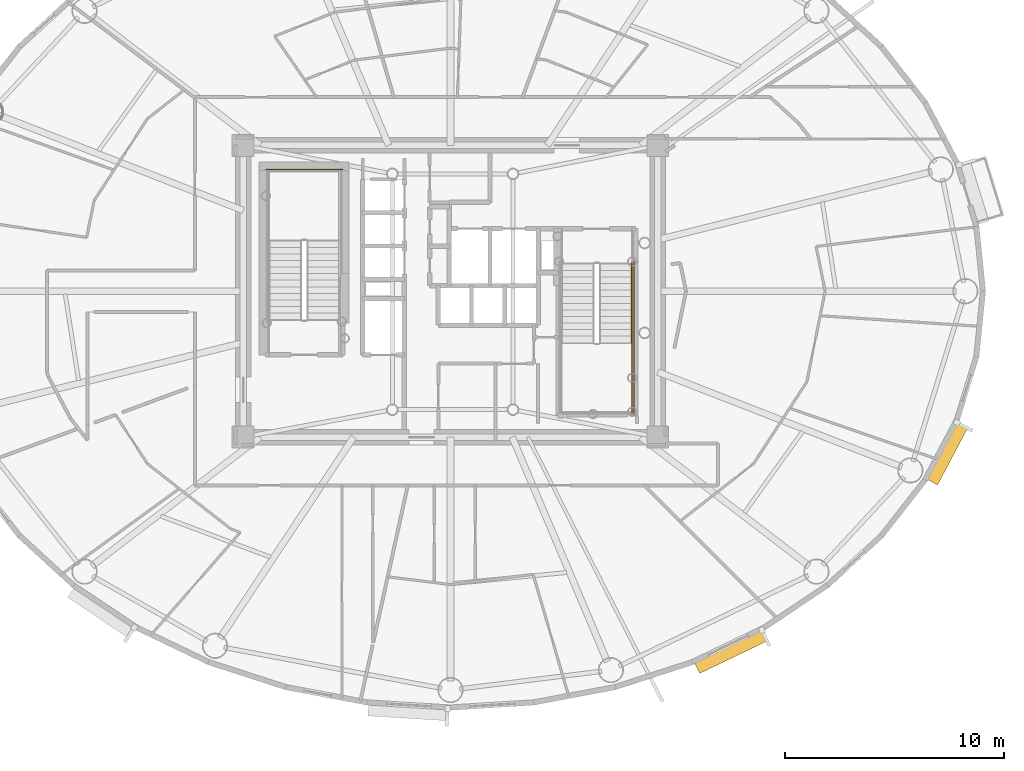
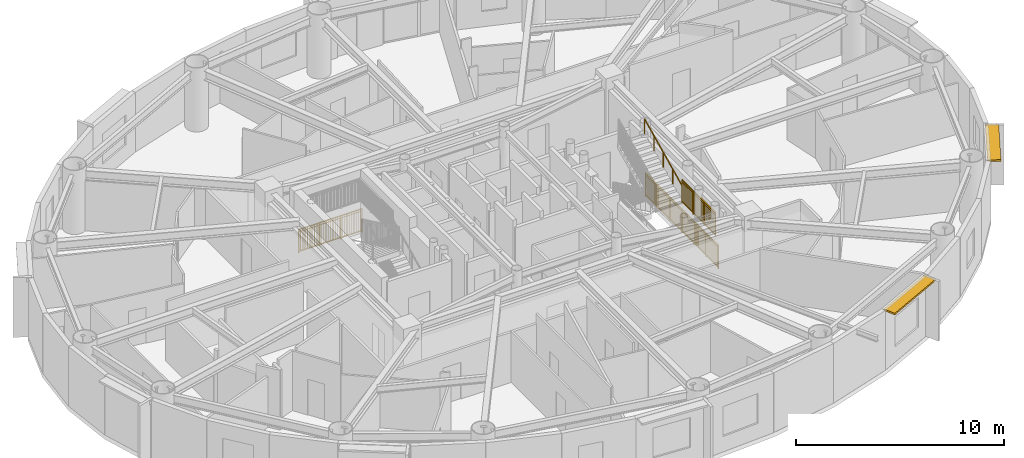
# One storey, part 18 of 20: 4 railings, 2 shading devices.
"""IFC4 building model written with IfcOpenShell, lengths in metres."""

from ifc_helpers import new_model, si_unit, direction, frame, origin, origin_2d, place, context, subcontext, project, spatial, rectangle, extrude, source, transform, mapped, material, layer, layer_set, type_object, element, save


model = new_model("IFC4")

# Units and contexts
model_context = context("Model", 3, precision=1e-05, world=origin(), true_north=direction((0.0, 1.0)))
body_context = subcontext(model_context, "Body", "Model", "MODEL_VIEW")
ifc_project = project(units=[si_unit("LENGTHUNIT", "METRE"), si_unit("AREAUNIT", "SQUARE_METRE"), si_unit("VOLUMEUNIT", "CUBIC_METRE"), si_unit("PLANEANGLEUNIT", "RADIAN"), si_unit("MASSUNIT", "GRAM", prefix="KILO")], contexts=[model_context])

# Site, building, storey
site_placement = place(None, origin())
site = spatial("IfcSite", under=ifc_project, at=site_placement, CompositionType="ELEMENT")
building_placement = place(site_placement, origin())
building = spatial("IfcBuilding", under=site, at=building_placement, Name="Linh Dai School and Residence Tower", CompositionType="ELEMENT")
storey_placement = place(building_placement, frame((0.0, 0.0, 221.550048828125)))
storey = spatial("IfcBuildingStorey", under=building, at=storey_placement, Name="L54", CompositionType="ELEMENT", Elevation=221.550048828125)

# Shading devices
ifc_material_1 = material(Name="Terracotta Ceramic Sunshade", Category="masonry")
ifc_layer = layer(ifc_material_1, 0.10009765625)
ifc_layer_set = layer_set([ifc_layer], Name="Terracotta Ceramic Sunshade")
shading_device_type = type_object("IfcShadingDeviceType", Name="SHD-TC-650", PredefinedType="USERDEFINED", material=ifc_layer_set)
shared_shape_1 = source(origin(), body_context, "Body", "SweptSolid", [
    extrude(rectangle(XDim=3.459716796875, YDim=0.64990234375, at=origin_2d()), origin(), (0.0, 0.0, 1.0), 0.10009765625),
])
shading_device_1_placement = place(storey_placement, frame((48.77880859375, 10.615966796875, 3.3798828125), z_axis=(0.0, 0.0, 1.0), x_axis=(-0.901588864931, -0.432593941973, 0.0)))
element("IfcShadingDevice", 1, at=shading_device_1_placement, inside=storey, type_object=shading_device_type, Name="L54 Terracotta Horizontal Sunshade Band 34", ObjectType="SUNSHADE", PredefinedType="USERDEFINED", context=body_context, shape_type="MappedRepresentation", body=[
    mapped(shared_shape_1, transform((0.0, 0.0, 0.0), x_axis=(1.0, 0.0, 0.0), y_axis=(0.0, 1.0, 0.0), z_axis=(0.0, 0.0, 1.0), scale=1.0)),
])
shared_shape_2 = source(origin(), body_context, "Body", "SweptSolid", [
    extrude(rectangle(XDim=2.986083984375, YDim=0.64990234375, at=origin_2d()), origin(), (0.0, 0.0, 1.0), 0.10009765625),
])
shading_device_2_placement = place(storey_placement, frame((58.614990234375, 19.63623046875, 3.3798828125), z_axis=(0.0, 0.0, 1.0), x_axis=(-0.467621224891, -0.883928950783, 0.0)))
element("IfcShadingDevice", 2, at=shading_device_2_placement, inside=storey, type_object=shading_device_type, Name="L54 Terracotta Horizontal Sunshade Band 38", ObjectType="SUNSHADE", PredefinedType="USERDEFINED", context=body_context, shape_type="MappedRepresentation", body=[
    mapped(shared_shape_2, transform((0.0, 0.0, 0.0), x_axis=(1.0, 0.0, 0.0), y_axis=(0.0, 1.0, 0.0), z_axis=(0.0, 0.0, 1.0), scale=1.0)),
])

# Railings
ifc_material_2 = material(Name="Structural Steel S355JR", Category="steel")
railing_type_1 = type_object("IfcRailingType", Name="RL-ST-GUARD-1400", PredefinedType="GUARDRAIL", material=ifc_material_2)
shared_shape_3 = source(origin(), body_context, "Body", "SweptSolid", [
    extrude(rectangle(XDim=0.048095703125, YDim=0.048095703125, at=origin_2d()), frame((0.0, 0.0, 1.3759765625), z_axis=(-1.0, 0.0, 0.0), x_axis=(0.0, -1.0, 0.0)), (0.0, 0.0, 1.0), 3.5),
    extrude(rectangle(XDim=0.048095703125, YDim=0.048095703125, at=origin_2d()), frame((0.0, 0.0, 0.10009765625), z_axis=(-1.0, 0.0, 0.0), x_axis=(0.0, -1.0, 0.0)), (0.0, 0.0, 1.0), 3.5),
    extrude(rectangle(XDim=0.030029296875, YDim=0.030029296875, at=origin_2d()), frame((0.0, 0.0, 1.239990234375), z_axis=(-1.0, 0.0, 0.0), x_axis=(0.0, -1.0, 0.0)), (0.0, 0.0, 1.0), 3.5),
    extrude(rectangle(XDim=0.02001953125, YDim=0.02001953125, at=origin_2d()), frame((-0.09716796875, 0.0, 0.10009765625)), (0.0, 0.0, 1.0), 1.251708984375),
    extrude(rectangle(XDim=0.02001953125, YDim=0.02001953125, at=origin_2d()), frame((-0.1943359375, 0.0, 0.10009765625)), (0.0, 0.0, 1.0), 1.251708984375),
    extrude(rectangle(XDim=0.02001953125, YDim=0.02001953125, at=origin_2d()), frame((-0.291748046875, 0.0, 0.10009765625)), (0.0, 0.0, 1.0), 1.251708984375),
    extrude(rectangle(XDim=0.02001953125, YDim=0.02001953125, at=origin_2d()), frame((-0.388916015625, 0.0, 0.10009765625)), (0.0, 0.0, 1.0), 1.251708984375),
    extrude(rectangle(XDim=0.02001953125, YDim=0.02001953125, at=origin_2d()), frame((-0.486083984375, 0.0, 0.10009765625)), (0.0, 0.0, 1.0), 1.251708984375),
    extrude(rectangle(XDim=0.02001953125, YDim=0.02001953125, at=origin_2d()), frame((-0.583251953125, 0.0, 0.10009765625)), (0.0, 0.0, 1.0), 1.251708984375),
    extrude(rectangle(XDim=0.02001953125, YDim=0.02001953125, at=origin_2d()), frame((-0.6806640625, 0.0, 0.10009765625)), (0.0, 0.0, 1.0), 1.251708984375),
    extrude(rectangle(XDim=0.02001953125, YDim=0.02001953125, at=origin_2d()), frame((-0.77783203125, 0.0, 0.10009765625)), (0.0, 0.0, 1.0), 1.251708984375),
    extrude(rectangle(XDim=0.02001953125, YDim=0.02001953125, at=origin_2d()), frame((-0.875, 0.0, 0.10009765625)), (0.0, 0.0, 1.0), 1.251708984375),
    extrude(rectangle(XDim=0.02001953125, YDim=0.02001953125, at=origin_2d()), frame((-0.97216796875, 0.0, 0.10009765625)), (0.0, 0.0, 1.0), 1.251708984375),
    extrude(rectangle(XDim=0.02001953125, YDim=0.02001953125, at=origin_2d()), frame((-1.0693359375, 0.0, 0.10009765625)), (0.0, 0.0, 1.0), 1.251708984375),
    extrude(rectangle(XDim=0.02001953125, YDim=0.02001953125, at=origin_2d()), frame((-1.263916015625, 0.0, 0.10009765625)), (0.0, 0.0, 1.0), 1.251708984375),
    extrude(rectangle(XDim=0.02001953125, YDim=0.02001953125, at=origin_2d()), frame((-1.361083984375, 0.0, 0.10009765625)), (0.0, 0.0, 1.0), 1.251708984375),
    extrude(rectangle(XDim=0.02001953125, YDim=0.02001953125, at=origin_2d()), frame((-1.458251953125, 0.0, 0.10009765625)), (0.0, 0.0, 1.0), 1.251708984375),
    extrude(rectangle(XDim=0.02001953125, YDim=0.02001953125, at=origin_2d()), frame((-1.5556640625, 0.0, 0.10009765625)), (0.0, 0.0, 1.0), 1.251708984375),
    extrude(rectangle(XDim=0.02001953125, YDim=0.02001953125, at=origin_2d()), frame((-1.65283203125, 0.0, 0.10009765625)), (0.0, 0.0, 1.0), 1.251708984375),
    extrude(rectangle(XDim=0.02001953125, YDim=0.02001953125, at=origin_2d()), frame((-1.75, 0.0, 0.10009765625)), (0.0, 0.0, 1.0), 1.251708984375),
    extrude(rectangle(XDim=0.02001953125, YDim=0.02001953125, at=origin_2d()), frame((-1.84716796875, 0.0, 0.10009765625)), (0.0, 0.0, 1.0), 1.251708984375),
    extrude(rectangle(XDim=0.02001953125, YDim=0.02001953125, at=origin_2d()), frame((-1.9443359375, 0.0, 0.10009765625)), (0.0, 0.0, 1.0), 1.251708984375),
    extrude(rectangle(XDim=0.02001953125, YDim=0.02001953125, at=origin_2d()), frame((-2.041748046875, 0.0, 0.10009765625)), (0.0, 0.0, 1.0), 1.251708984375),
    extrude(rectangle(XDim=0.02001953125, YDim=0.02001953125, at=origin_2d()), frame((-2.138916015625, 0.0, 0.10009765625)), (0.0, 0.0, 1.0), 1.251708984375),
    extrude(rectangle(XDim=0.02001953125, YDim=0.02001953125, at=origin_2d()), frame((-2.236083984375, 0.0, 0.10009765625)), (0.0, 0.0, 1.0), 1.251708984375),
    extrude(rectangle(XDim=0.02001953125, YDim=0.02001953125, at=origin_2d()), frame((-2.4306640625, 0.0, 0.10009765625)), (0.0, 0.0, 1.0), 1.251708984375),
    extrude(rectangle(XDim=0.02001953125, YDim=0.02001953125, at=origin_2d()), frame((-2.52783203125, 0.0, 0.10009765625)), (0.0, 0.0, 1.0), 1.251708984375),
    extrude(rectangle(XDim=0.02001953125, YDim=0.02001953125, at=origin_2d()), frame((-2.625, 0.0, 0.10009765625)), (0.0, 0.0, 1.0), 1.251708984375),
    extrude(rectangle(XDim=0.02001953125, YDim=0.02001953125, at=origin_2d()), frame((-2.72216796875, 0.0, 0.10009765625)), (0.0, 0.0, 1.0), 1.251708984375),
    extrude(rectangle(XDim=0.02001953125, YDim=0.02001953125, at=origin_2d()), frame((-2.8193359375, 0.0, 0.10009765625)), (0.0, 0.0, 1.0), 1.251708984375),
    extrude(rectangle(XDim=0.02001953125, YDim=0.02001953125, at=origin_2d()), frame((-2.916748046875, 0.0, 0.10009765625)), (0.0, 0.0, 1.0), 1.251708984375),
    extrude(rectangle(XDim=0.02001953125, YDim=0.02001953125, at=origin_2d()), frame((-3.013916015625, 0.0, 0.10009765625)), (0.0, 0.0, 1.0), 1.251708984375),
    extrude(rectangle(XDim=0.02001953125, YDim=0.02001953125, at=origin_2d()), frame((-3.111083984375, 0.0, 0.10009765625)), (0.0, 0.0, 1.0), 1.251708984375),
    extrude(rectangle(XDim=0.02001953125, YDim=0.02001953125, at=origin_2d()), frame((-3.208251953125, 0.0, 0.10009765625)), (0.0, 0.0, 1.0), 1.251708984375),
    extrude(rectangle(XDim=0.02001953125, YDim=0.02001953125, at=origin_2d()), frame((-3.3056640625, 0.0, 0.10009765625)), (0.0, 0.0, 1.0), 1.251708984375),
    extrude(rectangle(XDim=0.02001953125, YDim=0.02001953125, at=origin_2d()), frame((-3.40283203125, 0.0, 0.10009765625)), (0.0, 0.0, 1.0), 1.251708984375),
    extrude(rectangle(XDim=0.0419921875, YDim=0.0419921875, at=origin_2d()), origin(), (0.0, 0.0, 1.0), 1.3759765625),
    extrude(rectangle(XDim=0.0419921875, YDim=0.0419921875, at=origin_2d()), frame((-1.166748046875, 0.0, 0.0)), (0.0, 0.0, 1.0), 1.3759765625),
    extrude(rectangle(XDim=0.0419921875, YDim=0.0419921875, at=origin_2d()), frame((-2.333251953125, 0.0, 0.0)), (0.0, 0.0, 1.0), 1.3759765625),
    extrude(rectangle(XDim=0.0419921875, YDim=0.0419921875, at=origin_2d()), frame((-3.5, 0.0, 0.0)), (0.0, 0.0, 1.0), 1.3759765625),
])
railing_1_placement = place(storey_placement, frame((31.080078125, 32.550048828125, 0.0)))
element("IfcRailing", 3, at=railing_1_placement, inside=storey, type_object=railing_type_1, Name="L54 ST1 stair guard 12", PredefinedType="GUARDRAIL", context=body_context, shape_type="MappedRepresentation", body=[
    mapped(shared_shape_3, transform((0.0, 0.0, 0.0), x_axis=(1.0, 0.0, 0.0), y_axis=(0.0, 1.0, 0.0), z_axis=(0.0, 0.0, 1.0), scale=1.0)),
])
ifc_material_3 = material(Name="Brushed Stainless Steel Handrail", Category="steel")
railing_type_2 = type_object("IfcRailingType", Name="RL-ST-HANDRAIL-900", PredefinedType="HANDRAIL", material=ifc_material_3)
shared_shape_4 = source(origin(), body_context, "Body", "SweptSolid", [
    extrude(rectangle(XDim=0.048095703125, YDim=0.048095703125, at=origin_2d()), frame((0.0, 0.0, 0.8759765625), z_axis=(0.0, 0.901262522062, 0.433273431364), x_axis=(-1.0, 0.0, 0.0)), (0.0, 0.0, 1.0), 3.994384765625),
    extrude(rectangle(XDim=0.0419921875, YDim=0.0419921875, at=origin_2d()), origin(), (0.0, 0.0, 1.0), 0.8759765625),
    extrude(rectangle(XDim=0.0419921875, YDim=0.0419921875, at=origin_2d()), frame((0.0, 0.89990234375, 0.4326171875)), (0.0, 0.0, 1.0), 0.8759765625),
    extrude(rectangle(XDim=0.0419921875, YDim=0.0419921875, at=origin_2d()), frame((0.0, 1.800048828125, 0.865234375)), (0.0, 0.0, 1.0), 0.8759765625),
    extrude(rectangle(XDim=0.0419921875, YDim=0.0419921875, at=origin_2d()), frame((0.0, 2.7001953125, 1.298095703125)), (0.0, 0.0, 1.0), 0.8759765625),
    extrude(rectangle(XDim=0.0419921875, YDim=0.0419921875, at=origin_2d()), frame((0.0, 3.60009765625, 1.730712890625)), (0.0, 0.0, 1.0), 0.8759765625),
])
railing_2_placement = place(storey_placement, frame((44.27001953125, 24.64990234375, 2.019287109375)))
element("IfcRailing", 4, at=railing_2_placement, inside=storey, type_object=railing_type_2, Name="L54 ST2 stair handrail 2", PredefinedType="HANDRAIL", context=body_context, shape_type="MappedRepresentation", body=[
    mapped(shared_shape_4, transform((0.0, 0.0, 0.0), x_axis=(1.0, 0.0, 0.0), y_axis=(0.0, 1.0, 0.0), z_axis=(0.0, 0.0, 1.0), scale=1.0)),
])
shared_shape_5 = source(origin(), body_context, "Body", "SweptSolid", [
    extrude(rectangle(XDim=0.048095703125, YDim=0.048095703125, at=origin_2d()), frame((0.0, 0.0, 1.3759765625), z_axis=(0.0, -1.0, 0.0), x_axis=(1.0, 0.0, 0.0)), (0.0, 0.0, 1.0), 7.0),
    extrude(rectangle(XDim=0.048095703125, YDim=0.048095703125, at=origin_2d()), frame((0.0, 0.0, 0.10009765625), z_axis=(0.0, -1.0, 0.0), x_axis=(1.0, 0.0, 0.0)), (0.0, 0.0, 1.0), 7.0),
    extrude(rectangle(XDim=0.030029296875, YDim=0.030029296875, at=origin_2d()), frame((0.0, 0.0, 1.239990234375), z_axis=(0.0, -1.0, 0.0), x_axis=(1.0, 0.0, 0.0)), (0.0, 0.0, 1.0), 7.0),
    extrude(rectangle(XDim=0.02001953125, YDim=0.02001953125, at=origin_2d()), frame((0.0, -0.09716796875, 0.10009765625)), (0.0, 0.0, 1.0), 1.251708984375),
    extrude(rectangle(XDim=0.02001953125, YDim=0.02001953125, at=origin_2d()), frame((0.0, -0.1943359375, 0.10009765625)), (0.0, 0.0, 1.0), 1.251708984375),
    extrude(rectangle(XDim=0.02001953125, YDim=0.02001953125, at=origin_2d()), frame((0.0, -0.291748046875, 0.10009765625)), (0.0, 0.0, 1.0), 1.251708984375),
    extrude(rectangle(XDim=0.02001953125, YDim=0.02001953125, at=origin_2d()), frame((0.0, -0.388916015625, 0.10009765625)), (0.0, 0.0, 1.0), 1.251708984375),
    extrude(rectangle(XDim=0.02001953125, YDim=0.02001953125, at=origin_2d()), frame((0.0, -0.486083984375, 0.10009765625)), (0.0, 0.0, 1.0), 1.251708984375),
    extrude(rectangle(XDim=0.02001953125, YDim=0.02001953125, at=origin_2d()), frame((0.0, -0.583251953125, 0.10009765625)), (0.0, 0.0, 1.0), 1.251708984375),
    extrude(rectangle(XDim=0.02001953125, YDim=0.02001953125, at=origin_2d()), frame((0.0, -0.6806640625, 0.10009765625)), (0.0, 0.0, 1.0), 1.251708984375),
    extrude(rectangle(XDim=0.02001953125, YDim=0.02001953125, at=origin_2d()), frame((0.0, -0.77783203125, 0.10009765625)), (0.0, 0.0, 1.0), 1.251708984375),
    extrude(rectangle(XDim=0.02001953125, YDim=0.02001953125, at=origin_2d()), frame((0.0, -0.875, 0.10009765625)), (0.0, 0.0, 1.0), 1.251708984375),
    extrude(rectangle(XDim=0.02001953125, YDim=0.02001953125, at=origin_2d()), frame((0.0, -0.97216796875, 0.10009765625)), (0.0, 0.0, 1.0), 1.251708984375),
    extrude(rectangle(XDim=0.02001953125, YDim=0.02001953125, at=origin_2d()), frame((0.0, -1.0693359375, 0.10009765625)), (0.0, 0.0, 1.0), 1.251708984375),
    extrude(rectangle(XDim=0.02001953125, YDim=0.02001953125, at=origin_2d()), frame((0.0, -1.263916015625, 0.10009765625)), (0.0, 0.0, 1.0), 1.251708984375),
    extrude(rectangle(XDim=0.02001953125, YDim=0.02001953125, at=origin_2d()), frame((0.0, -1.361083984375, 0.10009765625)), (0.0, 0.0, 1.0), 1.251708984375),
    extrude(rectangle(XDim=0.02001953125, YDim=0.02001953125, at=origin_2d()), frame((0.0, -1.458251953125, 0.10009765625)), (0.0, 0.0, 1.0), 1.251708984375),
    extrude(rectangle(XDim=0.02001953125, YDim=0.02001953125, at=origin_2d()), frame((0.0, -1.5556640625, 0.10009765625)), (0.0, 0.0, 1.0), 1.251708984375),
    extrude(rectangle(XDim=0.02001953125, YDim=0.02001953125, at=origin_2d()), frame((0.0, -1.65283203125, 0.10009765625)), (0.0, 0.0, 1.0), 1.251708984375),
    extrude(rectangle(XDim=0.02001953125, YDim=0.02001953125, at=origin_2d()), frame((0.0, -1.75, 0.10009765625)), (0.0, 0.0, 1.0), 1.251708984375),
    extrude(rectangle(XDim=0.02001953125, YDim=0.02001953125, at=origin_2d()), frame((0.0, -1.84716796875, 0.10009765625)), (0.0, 0.0, 1.0), 1.251708984375),
    extrude(rectangle(XDim=0.02001953125, YDim=0.02001953125, at=origin_2d()), frame((0.0, -1.9443359375, 0.10009765625)), (0.0, 0.0, 1.0), 1.251708984375),
    extrude(rectangle(XDim=0.02001953125, YDim=0.02001953125, at=origin_2d()), frame((0.0, -2.041748046875, 0.10009765625)), (0.0, 0.0, 1.0), 1.251708984375),
    extrude(rectangle(XDim=0.02001953125, YDim=0.02001953125, at=origin_2d()), frame((0.0, -2.138916015625, 0.10009765625)), (0.0, 0.0, 1.0), 1.251708984375),
    extrude(rectangle(XDim=0.02001953125, YDim=0.02001953125, at=origin_2d()), frame((0.0, -2.236083984375, 0.10009765625)), (0.0, 0.0, 1.0), 1.251708984375),
    extrude(rectangle(XDim=0.02001953125, YDim=0.02001953125, at=origin_2d()), frame((0.0, -2.4306640625, 0.10009765625)), (0.0, 0.0, 1.0), 1.251708984375),
    extrude(rectangle(XDim=0.02001953125, YDim=0.02001953125, at=origin_2d()), frame((0.0, -2.52783203125, 0.10009765625)), (0.0, 0.0, 1.0), 1.251708984375),
    extrude(rectangle(XDim=0.02001953125, YDim=0.02001953125, at=origin_2d()), frame((0.0, -2.625, 0.10009765625)), (0.0, 0.0, 1.0), 1.251708984375),
    extrude(rectangle(XDim=0.02001953125, YDim=0.02001953125, at=origin_2d()), frame((0.0, -2.72216796875, 0.10009765625)), (0.0, 0.0, 1.0), 1.251708984375),
    extrude(rectangle(XDim=0.02001953125, YDim=0.02001953125, at=origin_2d()), frame((0.0, -2.8193359375, 0.10009765625)), (0.0, 0.0, 1.0), 1.251708984375),
    extrude(rectangle(XDim=0.02001953125, YDim=0.02001953125, at=origin_2d()), frame((0.0, -2.916748046875, 0.10009765625)), (0.0, 0.0, 1.0), 1.251708984375),
    extrude(rectangle(XDim=0.02001953125, YDim=0.02001953125, at=origin_2d()), frame((0.0, -3.013916015625, 0.10009765625)), (0.0, 0.0, 1.0), 1.251708984375),
    extrude(rectangle(XDim=0.02001953125, YDim=0.02001953125, at=origin_2d()), frame((0.0, -3.111083984375, 0.10009765625)), (0.0, 0.0, 1.0), 1.251708984375),
    extrude(rectangle(XDim=0.02001953125, YDim=0.02001953125, at=origin_2d()), frame((0.0, -3.208251953125, 0.10009765625)), (0.0, 0.0, 1.0), 1.251708984375),
    extrude(rectangle(XDim=0.02001953125, YDim=0.02001953125, at=origin_2d()), frame((0.0, -3.3056640625, 0.10009765625)), (0.0, 0.0, 1.0), 1.251708984375),
    extrude(rectangle(XDim=0.02001953125, YDim=0.02001953125, at=origin_2d()), frame((0.0, -3.40283203125, 0.10009765625)), (0.0, 0.0, 1.0), 1.251708984375),
    extrude(rectangle(XDim=0.02001953125, YDim=0.02001953125, at=origin_2d()), frame((0.0, -3.59716796875, 0.10009765625)), (0.0, 0.0, 1.0), 1.251708984375),
    extrude(rectangle(XDim=0.02001953125, YDim=0.02001953125, at=origin_2d()), frame((0.0, -3.6943359375, 0.10009765625)), (0.0, 0.0, 1.0), 1.251708984375),
    extrude(rectangle(XDim=0.02001953125, YDim=0.02001953125, at=origin_2d()), frame((0.0, -3.791748046875, 0.10009765625)), (0.0, 0.0, 1.0), 1.251708984375),
    extrude(rectangle(XDim=0.02001953125, YDim=0.02001953125, at=origin_2d()), frame((0.0, -3.888916015625, 0.10009765625)), (0.0, 0.0, 1.0), 1.251708984375),
    extrude(rectangle(XDim=0.02001953125, YDim=0.02001953125, at=origin_2d()), frame((0.0, -3.986083984375, 0.10009765625)), (0.0, 0.0, 1.0), 1.251708984375),
    extrude(rectangle(XDim=0.02001953125, YDim=0.02001953125, at=origin_2d()), frame((0.0, -4.083251953125, 0.10009765625)), (0.0, 0.0, 1.0), 1.251708984375),
    extrude(rectangle(XDim=0.02001953125, YDim=0.02001953125, at=origin_2d()), frame((0.0, -4.1806640625, 0.10009765625)), (0.0, 0.0, 1.0), 1.251708984375),
    extrude(rectangle(XDim=0.02001953125, YDim=0.02001953125, at=origin_2d()), frame((0.0, -4.27783203125, 0.10009765625)), (0.0, 0.0, 1.0), 1.251708984375),
    extrude(rectangle(XDim=0.02001953125, YDim=0.02001953125, at=origin_2d()), frame((0.0, -4.375, 0.10009765625)), (0.0, 0.0, 1.0), 1.251708984375),
    extrude(rectangle(XDim=0.02001953125, YDim=0.02001953125, at=origin_2d()), frame((0.0, -4.47216796875, 0.10009765625)), (0.0, 0.0, 1.0), 1.251708984375),
    extrude(rectangle(XDim=0.02001953125, YDim=0.02001953125, at=origin_2d()), frame((0.0, -4.5693359375, 0.10009765625)), (0.0, 0.0, 1.0), 1.251708984375),
    extrude(rectangle(XDim=0.02001953125, YDim=0.02001953125, at=origin_2d()), frame((0.0, -4.763916015625, 0.10009765625)), (0.0, 0.0, 1.0), 1.251708984375),
    extrude(rectangle(XDim=0.02001953125, YDim=0.02001953125, at=origin_2d()), frame((0.0, -4.861083984375, 0.10009765625)), (0.0, 0.0, 1.0), 1.251708984375),
    extrude(rectangle(XDim=0.02001953125, YDim=0.02001953125, at=origin_2d()), frame((0.0, -4.958251953125, 0.10009765625)), (0.0, 0.0, 1.0), 1.251708984375),
    extrude(rectangle(XDim=0.02001953125, YDim=0.02001953125, at=origin_2d()), frame((0.0, -5.0556640625, 0.10009765625)), (0.0, 0.0, 1.0), 1.251708984375),
    extrude(rectangle(XDim=0.02001953125, YDim=0.02001953125, at=origin_2d()), frame((0.0, -5.15283203125, 0.10009765625)), (0.0, 0.0, 1.0), 1.251708984375),
    extrude(rectangle(XDim=0.02001953125, YDim=0.02001953125, at=origin_2d()), frame((0.0, -5.25, 0.10009765625)), (0.0, 0.0, 1.0), 1.251708984375),
    extrude(rectangle(XDim=0.02001953125, YDim=0.02001953125, at=origin_2d()), frame((0.0, -5.34716796875, 0.10009765625)), (0.0, 0.0, 1.0), 1.251708984375),
    extrude(rectangle(XDim=0.02001953125, YDim=0.02001953125, at=origin_2d()), frame((0.0, -5.4443359375, 0.10009765625)), (0.0, 0.0, 1.0), 1.251708984375),
    extrude(rectangle(XDim=0.02001953125, YDim=0.02001953125, at=origin_2d()), frame((0.0, -5.541748046875, 0.10009765625)), (0.0, 0.0, 1.0), 1.251708984375),
    extrude(rectangle(XDim=0.02001953125, YDim=0.02001953125, at=origin_2d()), frame((0.0, -5.638916015625, 0.10009765625)), (0.0, 0.0, 1.0), 1.251708984375),
    extrude(rectangle(XDim=0.02001953125, YDim=0.02001953125, at=origin_2d()), frame((0.0, -5.736083984375, 0.10009765625)), (0.0, 0.0, 1.0), 1.251708984375),
    extrude(rectangle(XDim=0.02001953125, YDim=0.02001953125, at=origin_2d()), frame((0.0, -5.9306640625, 0.10009765625)), (0.0, 0.0, 1.0), 1.251708984375),
    extrude(rectangle(XDim=0.02001953125, YDim=0.02001953125, at=origin_2d()), frame((0.0, -6.02783203125, 0.10009765625)), (0.0, 0.0, 1.0), 1.251708984375),
    extrude(rectangle(XDim=0.02001953125, YDim=0.02001953125, at=origin_2d()), frame((0.0, -6.125, 0.10009765625)), (0.0, 0.0, 1.0), 1.251708984375),
    extrude(rectangle(XDim=0.02001953125, YDim=0.02001953125, at=origin_2d()), frame((0.0, -6.22216796875, 0.10009765625)), (0.0, 0.0, 1.0), 1.251708984375),
    extrude(rectangle(XDim=0.02001953125, YDim=0.02001953125, at=origin_2d()), frame((0.0, -6.3193359375, 0.10009765625)), (0.0, 0.0, 1.0), 1.251708984375),
    extrude(rectangle(XDim=0.02001953125, YDim=0.02001953125, at=origin_2d()), frame((0.0, -6.416748046875, 0.10009765625)), (0.0, 0.0, 1.0), 1.251708984375),
    extrude(rectangle(XDim=0.02001953125, YDim=0.02001953125, at=origin_2d()), frame((0.0, -6.513916015625, 0.10009765625)), (0.0, 0.0, 1.0), 1.251708984375),
    extrude(rectangle(XDim=0.02001953125, YDim=0.02001953125, at=origin_2d()), frame((0.0, -6.611083984375, 0.10009765625)), (0.0, 0.0, 1.0), 1.251708984375),
    extrude(rectangle(XDim=0.02001953125, YDim=0.02001953125, at=origin_2d()), frame((0.0, -6.708251953125, 0.10009765625)), (0.0, 0.0, 1.0), 1.251708984375),
    extrude(rectangle(XDim=0.02001953125, YDim=0.02001953125, at=origin_2d()), frame((0.0, -6.8056640625, 0.10009765625)), (0.0, 0.0, 1.0), 1.251708984375),
    extrude(rectangle(XDim=0.02001953125, YDim=0.02001953125, at=origin_2d()), frame((0.0, -6.90283203125, 0.10009765625)), (0.0, 0.0, 1.0), 1.251708984375),
    extrude(rectangle(XDim=0.0419921875, YDim=0.0419921875, at=origin_2d()), origin(), (0.0, 0.0, 1.0), 1.3759765625),
    extrude(rectangle(XDim=0.0419921875, YDim=0.0419921875, at=origin_2d()), frame((0.0, -1.166748046875, 0.0)), (0.0, 0.0, 1.0), 1.3759765625),
    extrude(rectangle(XDim=0.0419921875, YDim=0.0419921875, at=origin_2d()), frame((0.0, -2.333251953125, 0.0)), (0.0, 0.0, 1.0), 1.3759765625),
    extrude(rectangle(XDim=0.0419921875, YDim=0.0419921875, at=origin_2d()), frame((0.0, -3.5, 0.0)), (0.0, 0.0, 1.0), 1.3759765625),
    extrude(rectangle(XDim=0.0419921875, YDim=0.0419921875, at=origin_2d()), frame((0.0, -4.666748046875, 0.0)), (0.0, 0.0, 1.0), 1.3759765625),
    extrude(rectangle(XDim=0.0419921875, YDim=0.0419921875, at=origin_2d()), frame((0.0, -5.833251953125, 0.0)), (0.0, 0.0, 1.0), 1.3759765625),
    extrude(rectangle(XDim=0.0419921875, YDim=0.0419921875, at=origin_2d()), frame((0.0, -7.0, 0.0)), (0.0, 0.0, 1.0), 1.3759765625),
])
railing_3_placement = place(storey_placement, frame((44.3701171875, 28.35009765625, 0.0)))
element("IfcRailing", 5, at=railing_3_placement, inside=storey, type_object=railing_type_1, Name="L54 ST2 stair guard 11", PredefinedType="GUARDRAIL", context=body_context, shape_type="MappedRepresentation", body=[
    mapped(shared_shape_5, transform((0.0, 0.0, 0.0), x_axis=(1.0, 0.0, 0.0), y_axis=(0.0, 1.0, 0.0), z_axis=(0.0, 0.0, 1.0), scale=1.0)),
])
shared_shape_6 = source(origin(), body_context, "Body", "SweptSolid", [
    extrude(rectangle(XDim=0.048095703125, YDim=0.048095703125, at=origin_2d()), frame((0.0, 0.0, 1.3759765625), z_axis=(0.0, -1.0, 0.0), x_axis=(1.0, 0.0, 0.0)), (0.0, 0.0, 1.0), 3.199951171875),
    extrude(rectangle(XDim=0.048095703125, YDim=0.048095703125, at=origin_2d()), frame((0.0, 0.0, 0.10009765625), z_axis=(0.0, -1.0, 0.0), x_axis=(1.0, 0.0, 0.0)), (0.0, 0.0, 1.0), 3.199951171875),
    extrude(rectangle(XDim=0.030029296875, YDim=0.030029296875, at=origin_2d()), frame((0.0, 0.0, 1.239990234375), z_axis=(0.0, -1.0, 0.0), x_axis=(1.0, 0.0, 0.0)), (0.0, 0.0, 1.0), 3.199951171875),
    extrude(rectangle(XDim=0.02001953125, YDim=0.02001953125, at=origin_2d()), frame((0.0, -0.096923828125, 0.10009765625)), (0.0, 0.0, 1.0), 1.251708984375),
    extrude(rectangle(XDim=0.02001953125, YDim=0.02001953125, at=origin_2d()), frame((0.0, -0.19384765625, 0.10009765625)), (0.0, 0.0, 1.0), 1.251708984375),
    extrude(rectangle(XDim=0.02001953125, YDim=0.02001953125, at=origin_2d()), frame((0.0, -0.291015625, 0.10009765625)), (0.0, 0.0, 1.0), 1.251708984375),
    extrude(rectangle(XDim=0.02001953125, YDim=0.02001953125, at=origin_2d()), frame((0.0, -0.387939453125, 0.10009765625)), (0.0, 0.0, 1.0), 1.251708984375),
    extrude(rectangle(XDim=0.02001953125, YDim=0.02001953125, at=origin_2d()), frame((0.0, -0.48486328125, 0.10009765625)), (0.0, 0.0, 1.0), 1.251708984375),
    extrude(rectangle(XDim=0.02001953125, YDim=0.02001953125, at=origin_2d()), frame((0.0, -0.581787109375, 0.10009765625)), (0.0, 0.0, 1.0), 1.251708984375),
    extrude(rectangle(XDim=0.02001953125, YDim=0.02001953125, at=origin_2d()), frame((0.0, -0.6787109375, 0.10009765625)), (0.0, 0.0, 1.0), 1.251708984375),
    extrude(rectangle(XDim=0.02001953125, YDim=0.02001953125, at=origin_2d()), frame((0.0, -0.775634765625, 0.10009765625)), (0.0, 0.0, 1.0), 1.251708984375),
    extrude(rectangle(XDim=0.02001953125, YDim=0.02001953125, at=origin_2d()), frame((0.0, -0.872802734375, 0.10009765625)), (0.0, 0.0, 1.0), 1.251708984375),
    extrude(rectangle(XDim=0.02001953125, YDim=0.02001953125, at=origin_2d()), frame((0.0, -0.9697265625, 0.10009765625)), (0.0, 0.0, 1.0), 1.251708984375),
    extrude(rectangle(XDim=0.02001953125, YDim=0.02001953125, at=origin_2d()), frame((0.0, -1.16357421875, 0.10009765625)), (0.0, 0.0, 1.0), 1.251708984375),
    extrude(rectangle(XDim=0.02001953125, YDim=0.02001953125, at=origin_2d()), frame((0.0, -1.260498046875, 0.10009765625)), (0.0, 0.0, 1.0), 1.251708984375),
    extrude(rectangle(XDim=0.02001953125, YDim=0.02001953125, at=origin_2d()), frame((0.0, -1.357666015625, 0.10009765625)), (0.0, 0.0, 1.0), 1.251708984375),
    extrude(rectangle(XDim=0.02001953125, YDim=0.02001953125, at=origin_2d()), frame((0.0, -1.45458984375, 0.10009765625)), (0.0, 0.0, 1.0), 1.251708984375),
    extrude(rectangle(XDim=0.02001953125, YDim=0.02001953125, at=origin_2d()), frame((0.0, -1.551513671875, 0.10009765625)), (0.0, 0.0, 1.0), 1.251708984375),
    extrude(rectangle(XDim=0.02001953125, YDim=0.02001953125, at=origin_2d()), frame((0.0, -1.6484375, 0.10009765625)), (0.0, 0.0, 1.0), 1.251708984375),
    extrude(rectangle(XDim=0.02001953125, YDim=0.02001953125, at=origin_2d()), frame((0.0, -1.745361328125, 0.10009765625)), (0.0, 0.0, 1.0), 1.251708984375),
    extrude(rectangle(XDim=0.02001953125, YDim=0.02001953125, at=origin_2d()), frame((0.0, -1.84228515625, 0.10009765625)), (0.0, 0.0, 1.0), 1.251708984375),
    extrude(rectangle(XDim=0.02001953125, YDim=0.02001953125, at=origin_2d()), frame((0.0, -1.939453125, 0.10009765625)), (0.0, 0.0, 1.0), 1.251708984375),
    extrude(rectangle(XDim=0.02001953125, YDim=0.02001953125, at=origin_2d()), frame((0.0, -2.036376953125, 0.10009765625)), (0.0, 0.0, 1.0), 1.251708984375),
    extrude(rectangle(XDim=0.02001953125, YDim=0.02001953125, at=origin_2d()), frame((0.0, -2.230224609375, 0.10009765625)), (0.0, 0.0, 1.0), 1.251708984375),
    extrude(rectangle(XDim=0.02001953125, YDim=0.02001953125, at=origin_2d()), frame((0.0, -2.3271484375, 0.10009765625)), (0.0, 0.0, 1.0), 1.251708984375),
    extrude(rectangle(XDim=0.02001953125, YDim=0.02001953125, at=origin_2d()), frame((0.0, -2.42431640625, 0.10009765625)), (0.0, 0.0, 1.0), 1.251708984375),
    extrude(rectangle(XDim=0.02001953125, YDim=0.02001953125, at=origin_2d()), frame((0.0, -2.521240234375, 0.10009765625)), (0.0, 0.0, 1.0), 1.251708984375),
    extrude(rectangle(XDim=0.02001953125, YDim=0.02001953125, at=origin_2d()), frame((0.0, -2.6181640625, 0.10009765625)), (0.0, 0.0, 1.0), 1.251708984375),
    extrude(rectangle(XDim=0.02001953125, YDim=0.02001953125, at=origin_2d()), frame((0.0, -2.715087890625, 0.10009765625)), (0.0, 0.0, 1.0), 1.251708984375),
    extrude(rectangle(XDim=0.02001953125, YDim=0.02001953125, at=origin_2d()), frame((0.0, -2.81201171875, 0.10009765625)), (0.0, 0.0, 1.0), 1.251708984375),
    extrude(rectangle(XDim=0.02001953125, YDim=0.02001953125, at=origin_2d()), frame((0.0, -2.908935546875, 0.10009765625)), (0.0, 0.0, 1.0), 1.251708984375),
    extrude(rectangle(XDim=0.02001953125, YDim=0.02001953125, at=origin_2d()), frame((0.0, -3.006103515625, 0.10009765625)), (0.0, 0.0, 1.0), 1.251708984375),
    extrude(rectangle(XDim=0.02001953125, YDim=0.02001953125, at=origin_2d()), frame((0.0, -3.10302734375, 0.10009765625)), (0.0, 0.0, 1.0), 1.251708984375),
    extrude(rectangle(XDim=0.0419921875, YDim=0.0419921875, at=origin_2d()), origin(), (0.0, 0.0, 1.0), 1.3759765625),
    extrude(rectangle(XDim=0.0419921875, YDim=0.0419921875, at=origin_2d()), frame((0.0, -1.066650390625, 0.0)), (0.0, 0.0, 1.0), 1.3759765625),
    extrude(rectangle(XDim=0.0419921875, YDim=0.0419921875, at=origin_2d()), frame((0.0, -2.13330078125, 0.0)), (0.0, 0.0, 1.0), 1.3759765625),
    extrude(rectangle(XDim=0.0419921875, YDim=0.0419921875, at=origin_2d()), frame((0.0, -3.199951171875, 0.0)), (0.0, 0.0, 1.0), 1.3759765625),
])
railing_4_placement = place(storey_placement, frame((44.27001953125, 24.64990234375, 1.875)))
element("IfcRailing", 6, at=railing_4_placement, inside=storey, type_object=railing_type_1, Name="L54 ST2 stair guard 4", PredefinedType="GUARDRAIL", context=body_context, shape_type="MappedRepresentation", body=[
    mapped(shared_shape_6, transform((0.0, 0.0, 0.0), x_axis=(1.0, 0.0, 0.0), y_axis=(0.0, 1.0, 0.0), z_axis=(0.0, 0.0, 1.0), scale=1.0)),
])

save(model, "model.ifc")
